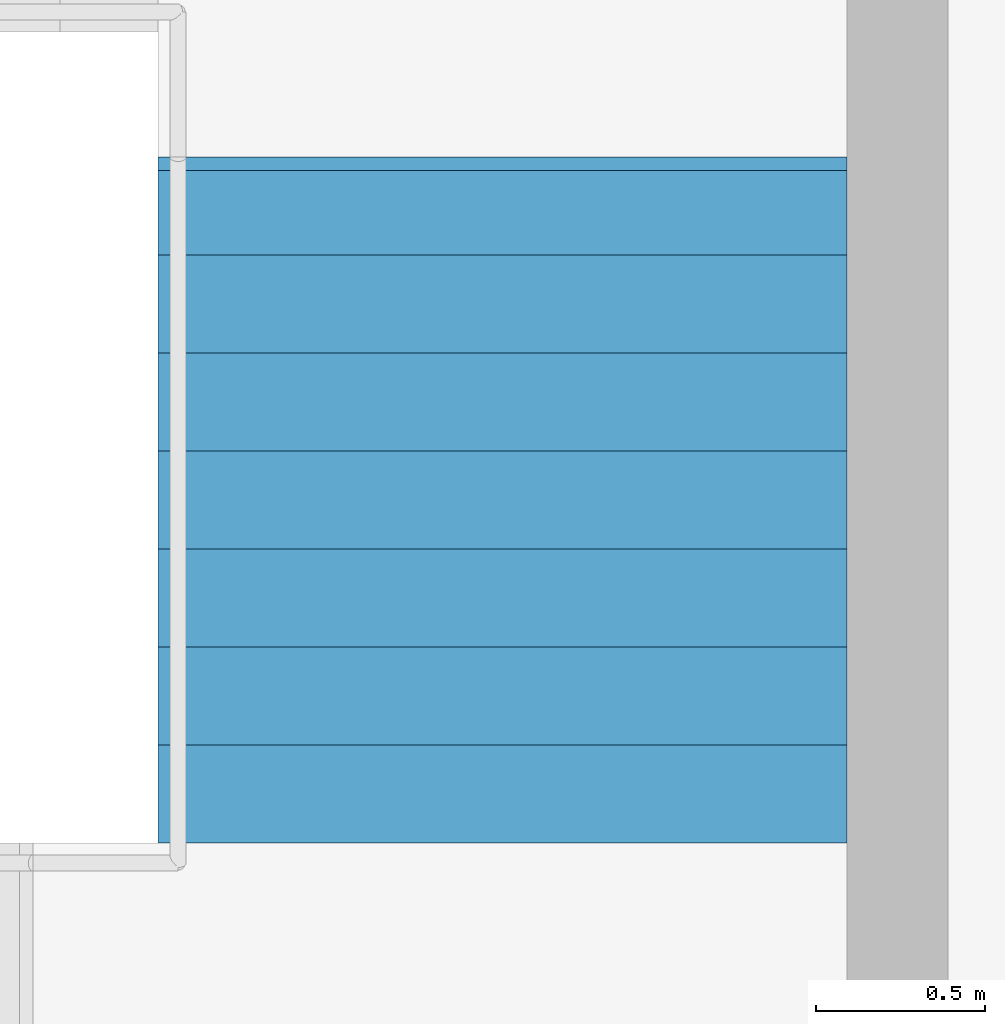
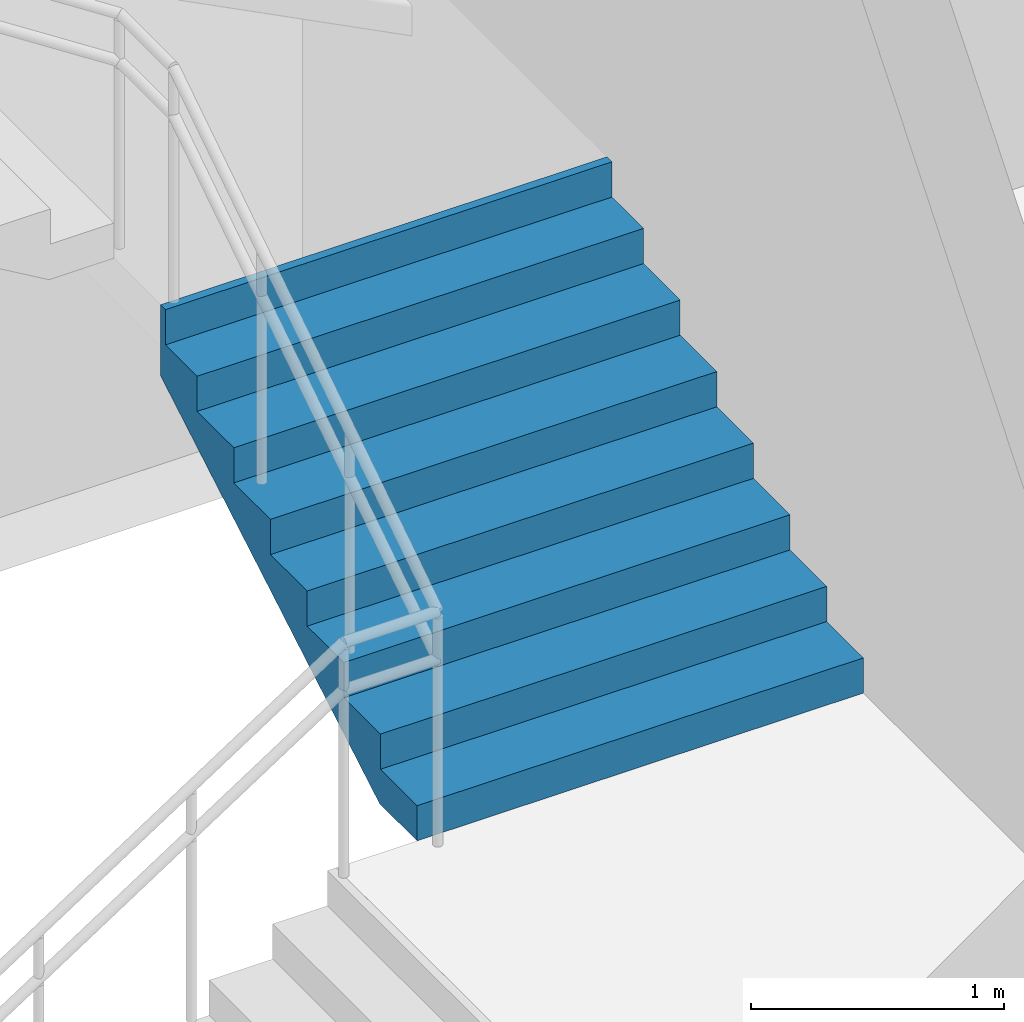
# One storey, part 60 of 74: 1 stair flight, 1 element without a shape of its own.
"""IFC4 building model written with IfcOpenShell, lengths in metres."""

from ifc_helpers import new_model, si_unit, direction, frame, origin, place, context, subcontext, project, spatial, triangles, material, type_object, element, aggregate, save


model = new_model("IFC4")

# Units and contexts
model_context = context("Model", 3, precision=1e-05, world=origin(), true_north=direction((0.0, 1.0)))
body_context = subcontext(model_context, "Body", "Model", "MODEL_VIEW")
ifc_project = project(units=[si_unit("LENGTHUNIT", "METRE"), si_unit("AREAUNIT", "SQUARE_METRE"), si_unit("VOLUMEUNIT", "CUBIC_METRE"), si_unit("PLANEANGLEUNIT", "RADIAN"), si_unit("MASSUNIT", "GRAM", prefix="KILO")], contexts=[model_context])

# Site, building, storey
site_placement = place(None, origin())
site = spatial("IfcSite", under=ifc_project, at=site_placement, CompositionType="ELEMENT")
building_placement = place(site_placement, origin())
building = spatial("IfcBuilding", under=site, at=building_placement, Name="Sillaruma Civic Art Gallery", CompositionType="ELEMENT")
storey_placement = place(building_placement, frame((0.0, 0.0, 5.43994140625)))
storey = spatial("IfcBuildingStorey", under=building, at=storey_placement, Name="L01", CompositionType="ELEMENT", Elevation=5.43994140625)

# Stair, stair flight
ifc_material = material(Name="Concrete H35 (35 MPa)", Category="concrete")
stair_type = type_object("IfcStairType", Name="STR-4F-32", PredefinedType="USERDEFINED", material=ifc_material)
stair_placement = place(storey_placement, origin())
stair = element("IfcStair", 1, at=stair_placement, inside=storey, type_object=stair_type, Name="Protected Exit Stair ST-01 (West Wing) (L01)", ObjectType="THREE_RETURN_STAIR", PredefinedType="USERDEFINED")
stair_flight_type = type_object("IfcStairFlightType", Name="SFL-STR-8", PredefinedType="STRAIGHT", material=ifc_material)
stair_flight_placement = place(storey_placement, frame((31.02001953125, 102.739990234375, 1.360107421875), z_axis=(0.0, 0.0, 1.0), x_axis=(0.0, 1.0, 0.0)))
stair_flight = element("IfcStairFlight", 2, at=stair_flight_placement, type_object=stair_flight_type, Name="ST-01 flight 2", NumberOfRisers=8, NumberOfTreads=7, PredefinedType="STRAIGHT", RiserHeight=0.17, TreadLength=0.29, context=body_context, shape_type="Tessellation", body=[
    triangles([(0.0, -1.02001953125, 0.0), (0.29, -1.02001953125, 0.0), (0.296443, -1.02001953125, 0.0), (0.58, -1.02001953125, 0.166223), (0.87, -1.02001953125, 0.336223), (1.16, -1.02001953125, 0.506223), (1.45, -1.02001953125, 0.676223), (1.74, -1.02001953125, 0.846223), (1.990029, -1.02001953125, 0.992792), (2.030029, -1.02001953125, 1.01624), (2.030029, -1.02001953125, 1.36), (1.990029, -1.02001953125, 1.36), (1.990029, -1.02001953125, 1.19), (1.74, -1.02001953125, 1.19), (1.74, -1.02001953125, 1.02), (1.45, -1.02001953125, 1.02), (1.45, -1.02001953125, 0.85), (1.16, -1.02001953125, 0.85), (1.16, -1.02001953125, 0.68), (0.87, -1.02001953125, 0.68), (0.87, -1.02001953125, 0.51), (0.58, -1.02001953125, 0.51), (0.58, -1.02001953125, 0.34), (0.296443, -1.02001953125, 0.34), (0.29, -1.02001953125, 0.34), (0.29, -1.02001953125, 0.17), (0.0, -1.02001953125, 0.17), (0.0, -0.05, 0.0), (0.29, -0.05, 0.0), (0.296443, -0.05, 0.0), (0.58, -0.05, 0.166223), (0.87, -0.05, 0.336223), (1.16, -0.05, 0.506223), (1.45, -0.05, 0.676223), (1.74, -0.05, 0.846223), (1.990029, -0.05, 0.992792), (2.030029, -0.05, 1.01624), (2.030029, -0.05, 1.36), (1.990029, -0.05, 1.36), (1.990029, -0.05, 1.19), (1.74, -0.05, 1.19), (1.74, -0.05, 1.02), (1.45, -0.05, 1.02), (1.45, -0.05, 0.85), (1.16, -0.05, 0.85), (1.16, -0.05, 0.68), (0.87, -0.05, 0.68), (0.87, -0.05, 0.51), (0.58, -0.05, 0.51), (0.58, -0.05, 0.34), (0.296443, -0.05, 0.34), (0.29, -0.05, 0.34), (0.29, -0.05, 0.17), (0.0, -0.05, 0.17), (0.0, -0.0375, 0.0), (0.29, -0.0375, 0.0), (0.296443, -0.0375, 0.0), (0.58, -0.0375, 0.166223), (0.87, -0.0375, 0.336223), (1.16, -0.0375, 0.506223), (1.45, -0.0375, 0.676223), (1.74, -0.0375, 0.846223), (1.990029, -0.0375, 0.992792), (2.030029, -0.0375, 1.01624), (2.030029, -0.0375, 1.36), (1.990029, -0.0375, 1.36), (1.990029, -0.0375, 1.19), (1.74, -0.0375, 1.19), (1.74, -0.0375, 1.02), (1.45, -0.0375, 1.02), (1.45, -0.0375, 0.85), (1.16, -0.0375, 0.85), (1.16, -0.0375, 0.68), (0.87, -0.0375, 0.68), (0.87, -0.0375, 0.51), (0.58, -0.0375, 0.51), (0.58, -0.0375, 0.34), (0.296443, -0.0375, 0.34), (0.29, -0.0375, 0.34), (0.29, -0.0375, 0.17), (0.0, -0.0375, 0.17), (0.0, -0.025, 0.0), (0.29, -0.025, 0.0), (0.296443, -0.025, 0.0), (0.58, -0.025, 0.166223), (0.87, -0.025, 0.336223), (1.16, -0.025, 0.506223), (1.45, -0.025, 0.676223), (1.74, -0.025, 0.846223), (1.990029, -0.025, 0.992792), (2.030029, -0.025, 1.01624), (2.030029, -0.025, 1.36), (1.990029, -0.025, 1.36), (1.990029, -0.025, 1.19), (1.74, -0.025, 1.19), (1.74, -0.025, 1.02), (1.45, -0.025, 1.02), (1.45, -0.025, 0.85), (1.16, -0.025, 0.85), (1.16, -0.025, 0.68), (0.87, -0.025, 0.68), (0.87, -0.025, 0.51), (0.58, -0.025, 0.51), (0.58, -0.025, 0.34), (0.296443, -0.025, 0.34), (0.29, -0.025, 0.34), (0.29, -0.025, 0.17), (0.0, -0.025, 0.17), (0.0, -0.0125, 0.0), (0.29, -0.0125, 0.0), (0.296443, -0.0125, 0.0), (0.58, -0.0125, 0.166223), (0.87, -0.0125, 0.336223), (1.16, -0.0125, 0.506223), (1.45, -0.0125, 0.676223), (1.74, -0.0125, 0.846223), (1.990029, -0.0125, 0.992792), (2.030029, -0.0125, 1.01624), (2.030029, -0.0125, 1.36), (1.990029, -0.0125, 1.36), (1.990029, -0.0125, 1.19), (1.74, -0.0125, 1.19), (1.74, -0.0125, 1.02), (1.45, -0.0125, 1.02), (1.45, -0.0125, 0.85), (1.16, -0.0125, 0.85), (1.16, -0.0125, 0.68), (0.87, -0.0125, 0.68), (0.87, -0.0125, 0.51), (0.58, -0.0125, 0.51), (0.58, -0.0125, 0.34), (0.296443, -0.0125, 0.34), (0.29, -0.0125, 0.34), (0.29, -0.0125, 0.17), (0.0, -0.0125, 0.17), (0.0, 0.0, 0.0), (0.29, 0.0, 0.0), (0.296443, 0.0, 0.0), (0.58, 0.0, 0.166223), (0.87, 0.0, 0.336223), (1.16, 0.0, 0.506223), (1.45, 0.0, 0.676223), (1.74, 0.0, 0.846223), (1.990029, 0.0, 0.992792), (2.030029, 0.0, 1.01624), (2.030029, 0.0, 1.36), (1.990029, 0.0, 1.36), (1.990029, 0.0, 1.19), (1.74, 0.0, 1.19), (1.74, 0.0, 1.02), (1.45, 0.0, 1.02), (1.45, 0.0, 0.85), (1.16, 0.0, 0.85), (1.16, 0.0, 0.68), (0.87, 0.0, 0.68), (0.87, 0.0, 0.51), (0.58, 0.0, 0.51), (0.58, 0.0, 0.34), (0.296443, 0.0, 0.34), (0.29, 0.0, 0.34), (0.29, 0.0, 0.17), (0.0, 0.0, 0.17), (0.0, 0.0125, 0.0), (0.29, 0.0125, 0.0), (0.296443, 0.0125, 0.0), (0.58, 0.0125, 0.166223), (0.87, 0.0125, 0.336223), (1.16, 0.0125, 0.506223), (1.45, 0.0125, 0.676223), (1.74, 0.0125, 0.846223), (1.990029, 0.0125, 0.992792), (2.030029, 0.0125, 1.01624), (2.030029, 0.0125, 1.36), (1.990029, 0.0125, 1.36), (1.990029, 0.0125, 1.19), (1.74, 0.0125, 1.19), (1.74, 0.0125, 1.02), (1.45, 0.0125, 1.02), (1.45, 0.0125, 0.85), (1.16, 0.0125, 0.85), (1.16, 0.0125, 0.68), (0.87, 0.0125, 0.68), (0.87, 0.0125, 0.51), (0.58, 0.0125, 0.51), (0.58, 0.0125, 0.34), (0.296443, 0.0125, 0.34), (0.29, 0.0125, 0.34), (0.29, 0.0125, 0.17), (0.0, 0.0125, 0.17), (0.0, 0.025, 0.0), (0.29, 0.025, 0.0), (0.296443, 0.025, 0.0), (0.58, 0.025, 0.166223), (0.87, 0.025, 0.336223), (1.16, 0.025, 0.506223), (1.45, 0.025, 0.676223), (1.74, 0.025, 0.846223), (1.990029, 0.025, 0.992792), (2.030029, 0.025, 1.01624), (2.030029, 0.025, 1.36), (1.990029, 0.025, 1.36), (1.990029, 0.025, 1.19), (1.74, 0.025, 1.19), (1.74, 0.025, 1.02), (1.45, 0.025, 1.02), (1.45, 0.025, 0.85), (1.16, 0.025, 0.85), (1.16, 0.025, 0.68), (0.87, 0.025, 0.68), (0.87, 0.025, 0.51), (0.58, 0.025, 0.51), (0.58, 0.025, 0.34), (0.296443, 0.025, 0.34), (0.29, 0.025, 0.34), (0.29, 0.025, 0.17), (0.0, 0.025, 0.17), (0.0, 0.0375, 0.0), (0.29, 0.0375, 0.0), (0.296443, 0.0375, 0.0), (0.58, 0.0375, 0.166223), (0.87, 0.0375, 0.336223), (1.16, 0.0375, 0.506223), (1.45, 0.0375, 0.676223), (1.74, 0.0375, 0.846223), (1.990029, 0.0375, 0.992792), (2.030029, 0.0375, 1.01624), (2.030029, 0.0375, 1.36), (1.990029, 0.0375, 1.36), (1.990029, 0.0375, 1.19), (1.74, 0.0375, 1.19), (1.74, 0.0375, 1.02), (1.45, 0.0375, 1.02), (1.45, 0.0375, 0.85), (1.16, 0.0375, 0.85), (1.16, 0.0375, 0.68), (0.87, 0.0375, 0.68), (0.87, 0.0375, 0.51), (0.58, 0.0375, 0.51), (0.58, 0.0375, 0.34), (0.296443, 0.0375, 0.34), (0.29, 0.0375, 0.34), (0.29, 0.0375, 0.17), (0.0, 0.0375, 0.17), (0.0, 0.05, 0.0), (0.29, 0.05, 0.0), (0.296443, 0.05, 0.0), (0.58, 0.05, 0.166223), (0.87, 0.05, 0.336223), (1.16, 0.05, 0.506223), (1.45, 0.05, 0.676223), (1.74, 0.05, 0.846223), (1.990029, 0.05, 0.992792), (2.030029, 0.05, 1.01624), (2.030029, 0.05, 1.36), (1.990029, 0.05, 1.36), (1.990029, 0.05, 1.19), (1.74, 0.05, 1.19), (1.74, 0.05, 1.02), (1.45, 0.05, 1.02), (1.45, 0.05, 0.85), (1.16, 0.05, 0.85), (1.16, 0.05, 0.68), (0.87, 0.05, 0.68), (0.87, 0.05, 0.51), (0.58, 0.05, 0.51), (0.58, 0.05, 0.34), (0.296443, 0.05, 0.34), (0.29, 0.05, 0.34), (0.29, 0.05, 0.17), (0.0, 0.05, 0.17), (0.0, 1.02001953125, 0.0), (0.29, 1.02001953125, 0.0), (0.296443, 1.02001953125, 0.0), (0.58, 1.02001953125, 0.166223), (0.87, 1.02001953125, 0.336223), (1.16, 1.02001953125, 0.506223), (1.45, 1.02001953125, 0.676223), (1.74, 1.02001953125, 0.846223), (1.990029, 1.02001953125, 0.992792), (2.030029, 1.02001953125, 1.01624), (2.030029, 1.02001953125, 1.36), (1.990029, 1.02001953125, 1.36), (1.990029, 1.02001953125, 1.19), (1.74, 1.02001953125, 1.19), (1.74, 1.02001953125, 1.02), (1.45, 1.02001953125, 1.02), (1.45, 1.02001953125, 0.85), (1.16, 1.02001953125, 0.85), (1.16, 1.02001953125, 0.68), (0.87, 1.02001953125, 0.68), (0.87, 1.02001953125, 0.51), (0.58, 1.02001953125, 0.51), (0.58, 1.02001953125, 0.34), (0.296443, 1.02001953125, 0.34), (0.29, 1.02001953125, 0.34), (0.29, 1.02001953125, 0.17), (0.0, 1.02001953125, 0.17)], [[1, 2, 26], [1, 26, 27], [2, 3, 24], [2, 24, 26], [26, 24, 25], [3, 4, 23], [3, 23, 24], [4, 5, 21], [4, 21, 23], [23, 21, 22], [5, 6, 19], [5, 19, 21], [21, 19, 20], [6, 7, 17], [6, 17, 19], [19, 17, 18], [7, 8, 15], [7, 15, 17], [17, 15, 16], [8, 9, 13], [8, 13, 15], [15, 13, 14], [9, 10, 11], [9, 11, 13], [13, 11, 12], [296, 272, 271], [297, 296, 271], [294, 273, 272], [296, 294, 272], [295, 294, 296], [293, 274, 273], [294, 293, 273], [291, 275, 274], [293, 291, 274], [292, 291, 293], [289, 276, 275], [291, 289, 275], [290, 289, 291], [287, 277, 276], [289, 287, 276], [288, 287, 289], [285, 278, 277], [287, 285, 277], [286, 285, 287], [283, 279, 278], [285, 283, 278], [284, 283, 285], [281, 280, 279], [283, 281, 279], [282, 281, 283], [2, 1, 28], [2, 28, 29], [3, 2, 29], [3, 29, 30], [4, 3, 30], [4, 30, 31], [5, 4, 31], [5, 31, 32], [6, 5, 32], [6, 32, 33], [7, 6, 33], [7, 33, 34], [8, 7, 34], [8, 34, 35], [9, 8, 35], [9, 35, 36], [10, 9, 36], [10, 36, 37], [11, 10, 37], [11, 37, 38], [12, 11, 38], [12, 38, 39], [13, 12, 39], [13, 39, 40], [14, 13, 40], [14, 40, 41], [15, 14, 41], [15, 41, 42], [16, 15, 42], [16, 42, 43], [17, 16, 43], [17, 43, 44], [18, 17, 44], [18, 44, 45], [19, 18, 45], [19, 45, 46], [20, 19, 46], [20, 46, 47], [21, 20, 47], [21, 47, 48], [22, 21, 48], [22, 48, 49], [23, 22, 49], [23, 49, 50], [24, 23, 50], [24, 50, 51], [25, 24, 51], [25, 51, 52], [26, 25, 52], [26, 52, 53], [27, 26, 53], [27, 53, 54], [1, 27, 54], [1, 54, 28], [29, 28, 55], [29, 55, 56], [30, 29, 56], [30, 56, 57], [31, 30, 57], [31, 57, 58], [32, 31, 58], [32, 58, 59], [33, 32, 59], [33, 59, 60], [34, 33, 60], [34, 60, 61], [35, 34, 61], [35, 61, 62], [36, 35, 62], [36, 62, 63], [37, 36, 63], [37, 63, 64], [38, 37, 64], [38, 64, 65], [39, 38, 65], [39, 65, 66], [40, 39, 66], [40, 66, 67], [41, 40, 67], [41, 67, 68], [42, 41, 68], [42, 68, 69], [43, 42, 69], [43, 69, 70], [44, 43, 70], [44, 70, 71], [45, 44, 71], [45, 71, 72], [46, 45, 72], [46, 72, 73], [47, 46, 73], [47, 73, 74], [48, 47, 74], [48, 74, 75], [49, 48, 75], [49, 75, 76], [50, 49, 76], [50, 76, 77], [51, 50, 77], [51, 77, 78], [52, 51, 78], [52, 78, 79], [53, 52, 79], [53, 79, 80], [54, 53, 80], [54, 80, 81], [28, 54, 81], [28, 81, 55], [56, 55, 82], [56, 82, 83], [57, 56, 83], [57, 83, 84], [58, 57, 84], [58, 84, 85], [59, 58, 85], [59, 85, 86], [60, 59, 86], [60, 86, 87], [61, 60, 87], [61, 87, 88], [62, 61, 88], [62, 88, 89], [63, 62, 89], [63, 89, 90], [64, 63, 90], [64, 90, 91], [65, 64, 91], [65, 91, 92], [66, 65, 92], [66, 92, 93], [67, 66, 93], [67, 93, 94], [68, 67, 94], [68, 94, 95], [69, 68, 95], [69, 95, 96], [70, 69, 96], [70, 96, 97], [71, 70, 97], [71, 97, 98], [72, 71, 98], [72, 98, 99], [73, 72, 99], [73, 99, 100], [74, 73, 100], [74, 100, 101], [75, 74, 101], [75, 101, 102], [76, 75, 102], [76, 102, 103], [77, 76, 103], [77, 103, 104], [78, 77, 104], [78, 104, 105], [79, 78, 105], [79, 105, 106], [80, 79, 106], [80, 106, 107], [81, 80, 107], [81, 107, 108], [55, 81, 108], [55, 108, 82], [83, 82, 109], [83, 109, 110], [84, 83, 110], [84, 110, 111], [85, 84, 111], [85, 111, 112], [86, 85, 112], [86, 112, 113], [87, 86, 113], [87, 113, 114], [88, 87, 114], [88, 114, 115], [89, 88, 115], [89, 115, 116], [90, 89, 116], [90, 116, 117], [91, 90, 117], [91, 117, 118], [92, 91, 118], [92, 118, 119], [93, 92, 119], [93, 119, 120], [94, 93, 120], [94, 120, 121], [95, 94, 121], [95, 121, 122], [96, 95, 122], [96, 122, 123], [97, 96, 123], [97, 123, 124], [98, 97, 124], [98, 124, 125], [99, 98, 125], [99, 125, 126], [100, 99, 126], [100, 126, 127], [101, 100, 127], [101, 127, 128], [102, 101, 128], [102, 128, 129], [103, 102, 129], [103, 129, 130], [104, 103, 130], [104, 130, 131], [105, 104, 131], [105, 131, 132], [106, 105, 132], [106, 132, 133], [107, 106, 133], [107, 133, 134], [108, 107, 134], [108, 134, 135], [82, 108, 135], [82, 135, 109], [110, 109, 136], [110, 136, 137], [111, 110, 137], [111, 137, 138], [112, 111, 138], [112, 138, 139], [113, 112, 139], [113, 139, 140], [114, 113, 140], [114, 140, 141], [115, 114, 141], [115, 141, 142], [116, 115, 142], [116, 142, 143], [117, 116, 143], [117, 143, 144], [118, 117, 144], [118, 144, 145], [119, 118, 145], [119, 145, 146], [120, 119, 146], [120, 146, 147], [121, 120, 147], [121, 147, 148], [122, 121, 148], [122, 148, 149], [123, 122, 149], [123, 149, 150], [124, 123, 150], [124, 150, 151], [125, 124, 151], [125, 151, 152], [126, 125, 152], [126, 152, 153], [127, 126, 153], [127, 153, 154], [128, 127, 154], [128, 154, 155], [129, 128, 155], [129, 155, 156], [130, 129, 156], [130, 156, 157], [131, 130, 157], [131, 157, 158], [132, 131, 158], [132, 158, 159], [133, 132, 159], [133, 159, 160], [134, 133, 160], [134, 160, 161], [135, 134, 161], [135, 161, 162], [109, 135, 162], [109, 162, 136], [137, 136, 163], [137, 163, 164], [138, 137, 164], [138, 164, 165], [139, 138, 165], [139, 165, 166], [140, 139, 166], [140, 166, 167], [141, 140, 167], [141, 167, 168], [142, 141, 168], [142, 168, 169], [143, 142, 169], [143, 169, 170], [144, 143, 170], [144, 170, 171], [145, 144, 171], [145, 171, 172], [146, 145, 172], [146, 172, 173], [147, 146, 173], [147, 173, 174], [148, 147, 174], [148, 174, 175], [149, 148, 175], [149, 175, 176], [150, 149, 176], [150, 176, 177], [151, 150, 177], [151, 177, 178], [152, 151, 178], [152, 178, 179], [153, 152, 179], [153, 179, 180], [154, 153, 180], [154, 180, 181], [155, 154, 181], [155, 181, 182], [156, 155, 182], [156, 182, 183], [157, 156, 183], [157, 183, 184], [158, 157, 184], [158, 184, 185], [159, 158, 185], [159, 185, 186], [160, 159, 186], [160, 186, 187], [161, 160, 187], [161, 187, 188], [162, 161, 188], [162, 188, 189], [136, 162, 189], [136, 189, 163], [164, 163, 190], [164, 190, 191], [165, 164, 191], [165, 191, 192], [166, 165, 192], [166, 192, 193], [167, 166, 193], [167, 193, 194], [168, 167, 194], [168, 194, 195], [169, 168, 195], [169, 195, 196], [170, 169, 196], [170, 196, 197], [171, 170, 197], [171, 197, 198], [172, 171, 198], [172, 198, 199], [173, 172, 199], [173, 199, 200], [174, 173, 200], [174, 200, 201], [175, 174, 201], [175, 201, 202], [176, 175, 202], [176, 202, 203], [177, 176, 203], [177, 203, 204], [178, 177, 204], [178, 204, 205], [179, 178, 205], [179, 205, 206], [180, 179, 206], [180, 206, 207], [181, 180, 207], [181, 207, 208], [182, 181, 208], [182, 208, 209], [183, 182, 209], [183, 209, 210], [184, 183, 210], [184, 210, 211], [185, 184, 211], [185, 211, 212], [186, 185, 212], [186, 212, 213], [187, 186, 213], [187, 213, 214], [188, 187, 214], [188, 214, 215], [189, 188, 215], [189, 215, 216], [163, 189, 216], [163, 216, 190], [191, 190, 217], [191, 217, 218], [192, 191, 218], [192, 218, 219], [193, 192, 219], [193, 219, 220], [194, 193, 220], [194, 220, 221], [195, 194, 221], [195, 221, 222], [196, 195, 222], [196, 222, 223], [197, 196, 223], [197, 223, 224], [198, 197, 224], [198, 224, 225], [199, 198, 225], [199, 225, 226], [200, 199, 226], [200, 226, 227], [201, 200, 227], [201, 227, 228], [202, 201, 228], [202, 228, 229], [203, 202, 229], [203, 229, 230], [204, 203, 230], [204, 230, 231], [205, 204, 231], [205, 231, 232], [206, 205, 232], [206, 232, 233], [207, 206, 233], [207, 233, 234], [208, 207, 234], [208, 234, 235], [209, 208, 235], [209, 235, 236], [210, 209, 236], [210, 236, 237], [211, 210, 237], [211, 237, 238], [212, 211, 238], [212, 238, 239], [213, 212, 239], [213, 239, 240], [214, 213, 240], [214, 240, 241], [215, 214, 241], [215, 241, 242], [216, 215, 242], [216, 242, 243], [190, 216, 243], [190, 243, 217], [218, 217, 244], [218, 244, 245], [219, 218, 245], [219, 245, 246], [220, 219, 246], [220, 246, 247], [221, 220, 247], [221, 247, 248], [222, 221, 248], [222, 248, 249], [223, 222, 249], [223, 249, 250], [224, 223, 250], [224, 250, 251], [225, 224, 251], [225, 251, 252], [226, 225, 252], [226, 252, 253], [227, 226, 253], [227, 253, 254], [228, 227, 254], [228, 254, 255], [229, 228, 255], [229, 255, 256], [230, 229, 256], [230, 256, 257], [231, 230, 257], [231, 257, 258], [232, 231, 258], [232, 258, 259], [233, 232, 259], [233, 259, 260], [234, 233, 260], [234, 260, 261], [235, 234, 261], [235, 261, 262], [236, 235, 262], [236, 262, 263], [237, 236, 263], [237, 263, 264], [238, 237, 264], [238, 264, 265], [239, 238, 265], [239, 265, 266], [240, 239, 266], [240, 266, 267], [241, 240, 267], [241, 267, 268], [242, 241, 268], [242, 268, 269], [243, 242, 269], [243, 269, 270], [217, 243, 270], [217, 270, 244], [245, 244, 271], [245, 271, 272], [246, 245, 272], [246, 272, 273], [247, 246, 273], [247, 273, 274], [248, 247, 274], [248, 274, 275], [249, 248, 275], [249, 275, 276], [250, 249, 276], [250, 276, 277], [251, 250, 277], [251, 277, 278], [252, 251, 278], [252, 278, 279], [253, 252, 279], [253, 279, 280], [254, 253, 280], [254, 280, 281], [255, 254, 281], [255, 281, 282], [256, 255, 282], [256, 282, 283], [257, 256, 283], [257, 283, 284], [258, 257, 284], [258, 284, 285], [259, 258, 285], [259, 285, 286], [260, 259, 286], [260, 286, 287], [261, 260, 287], [261, 287, 288], [262, 261, 288], [262, 288, 289], [263, 262, 289], [263, 289, 290], [264, 263, 290], [264, 290, 291], [265, 264, 291], [265, 291, 292], [266, 265, 292], [266, 292, 293], [267, 266, 293], [267, 293, 294], [268, 267, 294], [268, 294, 295], [269, 268, 295], [269, 295, 296], [270, 269, 296], [270, 296, 297], [244, 270, 297], [244, 297, 271]], closed=True),
])
aggregate(stair, [stair_flight])

save(model, "model.ifc")
